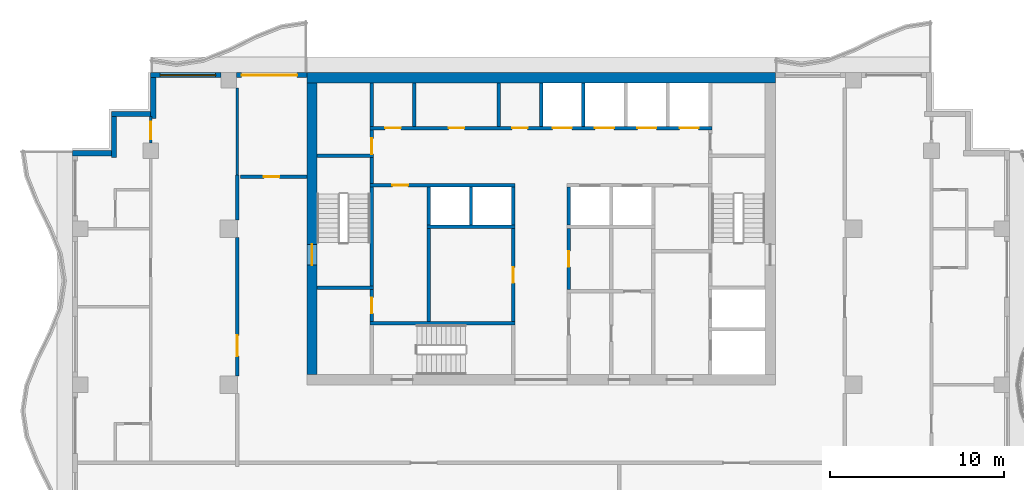
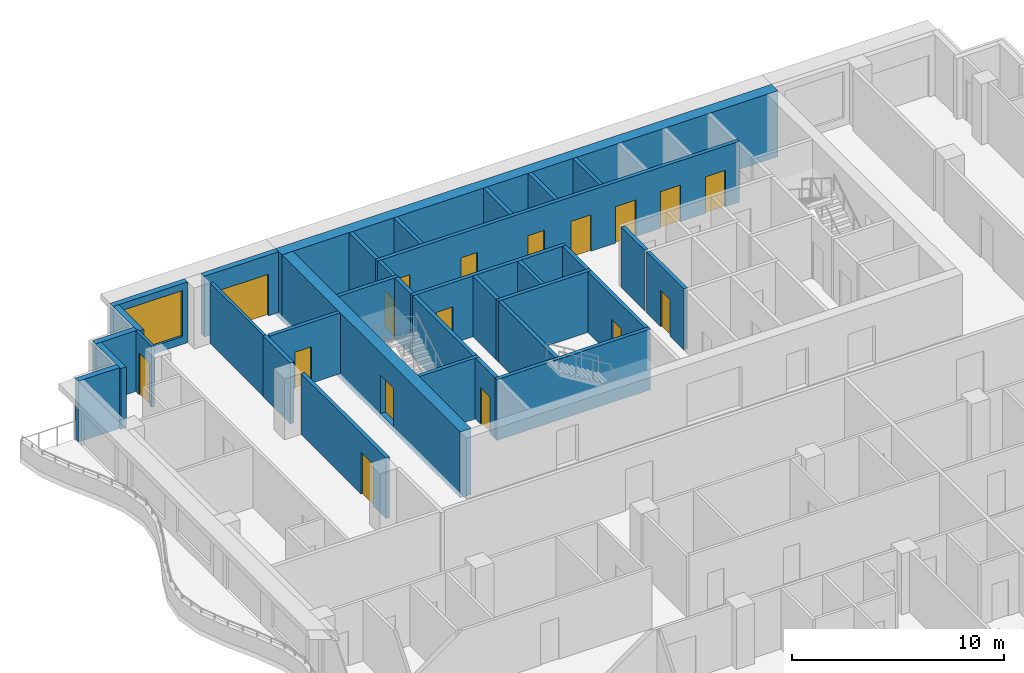
# One storey, part 5 of 11: 35 walls, 17 doors, 1 window, 18 openings.
"""IFC4 building model written with IfcOpenShell, lengths in metres."""

import ifcopenshell
import ifcopenshell.guid

model = None  # the IFC model being written
_history = None  # IfcOwnerHistory: only IFC2X3 demands one
_inside = {}  # id of a spatial element -> (the spatial element, [elements in it])
_under = {}  # id of a project, library or spatial element -> (it, [spatial elements below it])
_declared = {}  # id of a project -> (the project, [libraries it declares])
_typed = {}  # id of a type object -> (the type object, [elements of that type])
_made_of = {}  # id of a material, layer set ... -> (it, [elements and type objects made of it])


def new_model(schema):
    """Start an empty IFC model of exactly this schema.

    Asked for "IFC4X3", IfcOpenShell would pick the latest addendum, in which some entities
    have other attributes; the version numbers below select the first issue.
    IFC2X3 requires an IfcOwnerHistory on every rooted entity: one is made here for all.
    """
    global model, _history
    if schema == "IFC4X3":
        model = ifcopenshell.file(schema_version=(4, 3, 0, 0))
    else:
        model = ifcopenshell.file(schema=schema)
    _inside.clear()
    _under.clear()
    _declared.clear()
    _typed.clear()
    _made_of.clear()
    _history = None
    if model.schema == "IFC2X3":
        org = make("IfcOrganization", Name="unknown")
        user = make(
            "IfcPersonAndOrganization",
            ThePerson=make("IfcPerson", FamilyName="unknown"),
            TheOrganization=org,
        )
        app = make(
            "IfcApplication",
            ApplicationDeveloper=org,
            Version="unknown",
            ApplicationFullName="unknown",
            ApplicationIdentifier="unknown",
        )
        _history = make(
            "IfcOwnerHistory",
            OwningUser=user,
            OwningApplication=app,
            ChangeAction="ADDED",
            CreationDate=0,
        )
    return model


def make(cls, **values):
    """One entity of the class cls with the attributes given. An attribute that is None is left unset."""
    return model.create_entity(
        cls, **{name: value for name, value in values.items() if value is not None}
    )


def rooted(cls, **values):
    """An entity with a GlobalId (a new one), such as an element, a storey or a relation."""
    return make(cls, GlobalId=ifcopenshell.guid.new(), OwnerHistory=_history, **values)


def si_unit(unit_type, name, prefix=None):
    """IfcSIUnit, for example si_unit("LENGTHUNIT", "METRE", prefix="MILLI")."""
    return make("IfcSIUnit", UnitType=unit_type, Prefix=prefix, Name=name)


def assignment(units):
    """IfcUnitAssignment: the units of a project."""
    return None if units is None else make("IfcUnitAssignment", Units=units)


def point(xyz):
    """IfcCartesianPoint."""
    return None if xyz is None else make("IfcCartesianPoint", Coordinates=xyz)


def direction(xyz):
    """IfcDirection."""
    return None if xyz is None else make("IfcDirection", DirectionRatios=xyz)


def frame(location, z_axis=None, x_axis=None):
    """IfcAxis2Placement3D, a coordinate frame: its origin and axes. An axis left out is left unset."""
    return make(
        "IfcAxis2Placement3D",
        Location=point(location),
        Axis=direction(z_axis),
        RefDirection=direction(x_axis),
    )


def frame_2d(location, x_axis=None):
    """IfcAxis2Placement2D, a coordinate frame in the plane: its origin and x axis."""
    return make(
        "IfcAxis2Placement2D", Location=point(location), RefDirection=direction(x_axis)
    )


def origin():
    """The frame at (0, 0, 0) with its axes left unset."""
    return frame((0.0, 0.0, 0.0))


def place(relative_to, where):
    """IfcLocalPlacement: puts the frame where relative to a parent placement (None: the world)."""
    return make(
        "IfcLocalPlacement", PlacementRelTo=relative_to, RelativePlacement=where
    )


def context(
    kind, dimensions, precision=None, world=None, true_north=None, identifier=None
):
    """IfcGeometricRepresentationContext, for example the 3D "Model" context."""
    return make(
        "IfcGeometricRepresentationContext",
        ContextIdentifier=identifier,
        ContextType=kind,
        CoordinateSpaceDimension=dimensions,
        Precision=precision,
        WorldCoordinateSystem=world,
        TrueNorth=true_north,
    )


def subcontext(parent, identifier, kind, view, scale=None):
    """IfcGeometricRepresentationSubContext, for example "Body" below "Model"."""
    return make(
        "IfcGeometricRepresentationSubContext",
        ContextIdentifier=identifier,
        ContextType=kind,
        ParentContext=parent,
        TargetScale=scale,
        TargetView=view,
    )


def project(units=None, contexts=None):
    """IfcProject with its units and contexts."""
    return rooted(
        "IfcProject",
        Name="project",
        RepresentationContexts=contexts,
        UnitsInContext=assignment(units),
    )


def spatial(cls, under=None, at=None, **own):
    """A site, building, storey or space (cls), placed at a placement, below another one or the project."""
    s = rooted(cls, ObjectPlacement=at, **own)
    if under is not None:
        _under.setdefault(under.id(), (under, []))[1].append(s)
    return s


def profile(cls, at=None, kind="AREA", **sizes):
    """A parametric profile (cls). Its sizes go by their IFC names, for example OverallWidth=200.0."""
    return make(cls, ProfileType=kind, Position=at, **sizes)


def rectangle(**sizes):
    """IfcRectangleProfileDef."""
    return profile("IfcRectangleProfileDef", **sizes)


def extrude(swept, where, along, depth):
    """IfcExtrudedAreaSolid: the profile swept, set in the frame where, extruded along a direction by depth."""
    return make(
        "IfcExtrudedAreaSolid",
        SweptArea=swept,
        Position=where,
        ExtrudedDirection=direction(along),
        Depth=depth,
    )


def shape(context_of_items, identifier, shape_type, items):
    """IfcShapeRepresentation: the items that make up one representation, for example the "Body"."""
    return make(
        "IfcShapeRepresentation",
        ContextOfItems=context_of_items,
        RepresentationIdentifier=identifier,
        RepresentationType=shape_type,
        Items=items,
    )


def material(Name=None, Category=None):
    """IfcMaterial."""
    return make("IfcMaterial", Name=Name, Category=Category)


def layer(
    of_material, thickness, ventilated=None, Name=None, Category=None, Priority=None
):
    """IfcMaterialLayer: one layer of a wall or slab, of a material (None: an air gap)."""
    return make(
        "IfcMaterialLayer",
        Material=of_material,
        LayerThickness=thickness,
        IsVentilated=ventilated,
        Name=Name,
        Category=Category,
        Priority=Priority,
    )


def layer_set(layers, Name=None):
    """IfcMaterialLayerSet."""
    return make("IfcMaterialLayerSet", MaterialLayers=layers, LayerSetName=Name)


def made_of(thing, what):
    """Note that an element or type object is made of a material, layer set ...; save() writes the relation."""
    if what is not None:
        _made_of.setdefault(what.id(), (what, []))[1].append(thing)
    return thing


def type_object(cls, material=None, **own):
    """A type object (cls), such as IfcWallType, which elements share."""
    return made_of(rooted(cls, **own), material)


def element(
    cls,
    number,
    at=None,
    inside=None,
    cuts=None,
    type_object=None,
    material=None,
    context=None,
    identifier="Body",
    shape_type=None,
    held_by="IfcProductDefinitionShape",
    body=None,
    shapes=None,
    **own,
):
    """One element of the class cls, such as IfcWall. Its Tag is "e" and its number.

    at: its placement. inside: the storey or other place that contains it. cuts: it is an
    opening in that element (IfcRelVoidsElement). A single representation is given by context,
    identifier, shape_type and body (its items); several are given by shapes. held_by: the class
    of the entity that holds the representations. save() writes the other relations.
    """
    e = rooted(cls, Tag="e%d" % number, ObjectPlacement=at, **own)
    if body is not None:
        shapes = [shape(context, identifier, shape_type, body)]
    if shapes is not None:
        e.Representation = make(held_by, Representations=shapes)
    if inside is not None:
        _inside.setdefault(inside.id(), (inside, []))[1].append(e)
    if cuts is not None:
        rooted(
            "IfcRelVoidsElement", RelatingBuildingElement=cuts, RelatedOpeningElement=e
        )
    if type_object is not None:
        _typed.setdefault(type_object.id(), (type_object, []))[1].append(e)
    return made_of(e, material)


def fill(opening, filler):
    """IfcRelFillsElement: the door or window that sits in an opening."""
    return rooted(
        "IfcRelFillsElement",
        RelatingOpeningElement=opening,
        RelatedBuildingElement=filler,
    )


def aggregate(whole, parts):
    """IfcRelAggregates: a whole, such as a stair, and the parts it consists of."""
    return rooted("IfcRelAggregates", RelatingObject=whole, RelatedObjects=parts)


def save(model, path):
    """Write the relations noted so far, then the file.

    IfcRelAggregates (storeys below a building ...), IfcRelContainedInSpatialStructure (elements
    in a storey), IfcRelDefinesByType, IfcRelAssociatesMaterial and IfcRelDeclares: one each for
    every whole, place, type object, material and project.
    """
    for whole, parts in _under.values():
        aggregate(whole, parts)
    for where, things in _inside.values():
        rooted(
            "IfcRelContainedInSpatialStructure",
            RelatedElements=things,
            RelatingStructure=where,
        )
    for kind, things in _typed.values():
        rooted("IfcRelDefinesByType", RelatedObjects=things, RelatingType=kind)
    for what, things in _made_of.values():
        rooted("IfcRelAssociatesMaterial", RelatedObjects=things, RelatingMaterial=what)
    for by, libraries in _declared.values():
        rooted("IfcRelDeclares", RelatingContext=by, RelatedDefinitions=libraries)
    model.write(path)


model = new_model("IFC4")

# Units and contexts
model_context = context("Model", 3, precision=1e-05, world=origin(), true_north=direction((0.0, 1.0)))
body_context = subcontext(model_context, "Body", "Model", "MODEL_VIEW")
ifc_project = project(units=[si_unit("LENGTHUNIT", "METRE"), si_unit("AREAUNIT", "SQUARE_METRE"), si_unit("VOLUMEUNIT", "CUBIC_METRE"), si_unit("PLANEANGLEUNIT", "RADIAN"), si_unit("MASSUNIT", "GRAM", prefix="KILO")], contexts=[model_context])

# Site, building, storey
site_placement = place(None, origin())
site = spatial("IfcSite", under=ifc_project, at=site_placement, CompositionType="ELEMENT")
building_placement = place(site_placement, origin())
building = spatial("IfcBuilding", under=site, at=building_placement, Name="Orbiselva Terraces", CompositionType="ELEMENT")
storey_placement = place(building_placement, frame((0.0, 0.0, 250.2)))
storey = spatial("IfcBuildingStorey", under=building, at=storey_placement, Name="L63", CompositionType="ELEMENT", Elevation=250.2)

# Wall, opening, door
ifc_material_1 = material(Name="Concrete C80/95", Category="concrete")
ifc_layer_1 = layer(ifc_material_1, 0.6)
ifc_layer_set_1 = layer_set([ifc_layer_1], Name="Concrete C80/95")
wall_type_1 = type_object("IfcWallType", Name="CORE WALL 600", PredefinedType="SHEAR", material=ifc_layer_set_1)
wall_1_placement = place(storey_placement, frame((-13.2, 21.9, -0.3), z_axis=(0.0, 0.0, 1.0), x_axis=(0.0, -1.0, 0.0)))
wall_1 = element("IfcWall", 1, at=wall_1_placement, inside=storey, type_object=wall_type_1, Name="Core wall L63 west", PredefinedType="SHEAR", context=body_context, shape_type="SweptSolid", body=[
    extrude(rectangle(XDim=16.8, YDim=0.6, at=frame_2d((8.4, 0.0))), origin(), (0.0, 0.0, 1.0), 3.8),
])
opening_1_placement = place(wall_1_placement, frame((9.3, 0.0, 0.3)))
opening_1 = element("IfcOpeningElement", 2, at=opening_1_placement, cuts=wall_1, Name="Opening DS1200", PredefinedType="OPENING", context=body_context, shape_type="SweptSolid", body=[
    extrude(rectangle(XDim=1.2, YDim=2.2, at=frame_2d((0.6, 1.1))), frame((0.0, 0.31, 0.0), z_axis=(0.0, -1.0, 0.0), x_axis=(1.0, 0.0, 0.0)), (0.0, 0.0, 1.0), 0.62),
])
ifc_material_2 = material(Name="Steel fire door", Category="steel")
door_type_1 = type_object("IfcDoorType", Name="STAIR DOOR 1200", OperationType="NOTDEFINED", PredefinedType="DOOR", material=ifc_material_2)
door_1_placement = place(opening_1_placement, frame((1.2, 0.0, 0.0), z_axis=(0.0, 0.0, 1.0), x_axis=(-1.0, 0.0, 0.0)))
door_1 = element("IfcDoor", 3, at=door_1_placement, inside=storey, type_object=door_type_1, Name="L63 EXIT STAIR S1 door", OperationType="SINGLE_SWING_RIGHT", OverallHeight=2.2, OverallWidth=1.2, PredefinedType="DOOR", context=body_context, shape_type="SweptSolid", body=[
    extrude(rectangle(XDim=1.2, YDim=2.2, at=frame_2d((0.6, 1.1))), frame((0.0, 0.025, 0.0), z_axis=(0.0, -1.0, 0.0), x_axis=(1.0, 0.0, 0.0)), (0.0, 0.0, 1.0), 0.05),
])
fill(opening_1, door_1)

# Wall
ifc_layer_2 = layer(ifc_material_1, 0.6)
ifc_layer_set_2 = layer_set([ifc_layer_2], Name="Concrete C80/95")
wall_type_2 = type_object("IfcWallType", Name="CORE WALL 600 EXTERNAL", PredefinedType="SHEAR", material=ifc_layer_set_2)
wall_2_placement = place(storey_placement, frame((13.5, 22.2, -0.3), z_axis=(0.0, 0.0, 1.0), x_axis=(-1.0, 0.0, 0.0)))
element("IfcWall", 4, at=wall_2_placement, inside=storey, type_object=wall_type_2, Name="Core wall L63 north", PredefinedType="SHEAR", context=body_context, shape_type="SweptSolid", body=[
    extrude(rectangle(XDim=27.0, YDim=0.6, at=frame_2d((13.5, 0.0))), origin(), (0.0, 0.0, 1.0), 3.8),
])

# Wall, opening, door
ifc_material_3 = material(Name="Masonry blockwork", Category="masonry")
ifc_layer_3 = layer(ifc_material_3, 0.2)
ifc_layer_set_3 = layer_set([ifc_layer_3], Name="Masonry blockwork")
wall_type_3 = type_object("IfcWallType", Name="CORE-WALL-PARTITION-200", PredefinedType="PARTITIONING", material=ifc_layer_set_3)
wall_3_placement = place(storey_placement, frame((-9.75, 8.15, 0.0), z_axis=(0.0, 0.0, 1.0), x_axis=(0.0, 1.0, 0.0)))
wall_3 = element("IfcWall", 5, at=wall_3_placement, inside=storey, type_object=wall_type_3, Name="L63 core wall 05", PredefinedType="PARTITIONING", context=body_context, shape_type="SweptSolid", body=[
    extrude(rectangle(XDim=1.85, YDim=0.2, at=frame_2d((0.925, 0.0))), origin(), (0.0, 0.0, 1.0), 3.5),
])
opening_2_placement = place(wall_3_placement, frame((0.475, 0.0, 0.0)))
opening_2 = element("IfcOpeningElement", 6, at=opening_2_placement, cuts=wall_3, Name="Opening DR900", PredefinedType="OPENING", context=body_context, shape_type="SweptSolid", body=[
    extrude(rectangle(XDim=0.9, YDim=2.1, at=frame_2d((0.45, 1.05))), frame((0.0, 0.11, 0.0), z_axis=(0.0, -1.0, 0.0), x_axis=(1.0, 0.0, 0.0)), (0.0, 0.0, 1.0), 0.22),
])
door_type_2 = type_object("IfcDoorType", Name="ROOM DOOR 900", OperationType="NOTDEFINED", PredefinedType="DOOR", material=ifc_material_2)
door_2_placement = place(opening_2_placement, origin())
door_2 = element("IfcDoor", 7, at=door_2_placement, inside=storey, type_object=door_type_2, Name="L63 STAFF WC door", OperationType="SINGLE_SWING_RIGHT", OverallHeight=2.1, OverallWidth=0.9, PredefinedType="DOOR", context=body_context, shape_type="SweptSolid", body=[
    extrude(rectangle(XDim=0.9, YDim=2.1, at=frame_2d((0.45, 1.05))), frame((0.0, 0.025, 0.0), z_axis=(0.0, -1.0, 0.0), x_axis=(1.0, 0.0, 0.0)), (0.0, 0.0, 1.0), 0.05),
])
fill(opening_2, door_2)

wall_4_placement = place(storey_placement, frame((-9.75, 17.8, 0.0), z_axis=(0.0, 0.0, 1.0), x_axis=(0.0, 1.0, 0.0)))
wall_4 = element("IfcWall", 8, at=wall_4_placement, inside=storey, type_object=wall_type_3, Name="L63 core wall 09", PredefinedType="PARTITIONING", context=body_context, shape_type="SweptSolid", body=[
    extrude(rectangle(XDim=1.4, YDim=0.2, at=frame_2d((0.7, 0.0))), origin(), (0.0, 0.0, 1.0), 3.5),
])
opening_3_placement = place(wall_4_placement, origin())
opening_3 = element("IfcOpeningElement", 9, at=opening_3_placement, cuts=wall_4, Name="Opening DR900", PredefinedType="OPENING", context=body_context, shape_type="SweptSolid", body=[
    extrude(rectangle(XDim=0.9, YDim=2.1, at=frame_2d((0.45, 1.05))), frame((0.0, 0.11, 0.0), z_axis=(0.0, -1.0, 0.0), x_axis=(1.0, 0.0, 0.0)), (0.0, 0.0, 1.0), 0.22),
])
door_3_placement = place(opening_3_placement, origin())
door_3 = element("IfcDoor", 10, at=door_3_placement, inside=storey, type_object=door_type_2, Name="L63 ELECTRICAL RISER ROOM door", OperationType="SINGLE_SWING_LEFT", OverallHeight=2.1, OverallWidth=0.9, PredefinedType="DOOR", context=body_context, shape_type="SweptSolid", body=[
    extrude(rectangle(XDim=0.9, YDim=2.1, at=frame_2d((0.45, 1.05))), frame((0.0, 0.025, 0.0), z_axis=(0.0, -1.0, 0.0), x_axis=(1.0, 0.0, 0.0)), (0.0, 0.0, 1.0), 0.05),
])
fill(opening_3, door_3)

# Walls
for number, where, z_axis, x_axis, name in (
    (11, (-9.75, 19.4, 0.0), (0.0, 0.0, 1.0), (0.0, 1.0, 0.0), "L63 core wall 11"),
    (12, (-7.3125, 19.4, 0.0), (0.0, 0.0, 1.0), (0.0, 1.0, 0.0), "L63 core wall 12"),
):
    element("IfcWall", number, at=place(storey_placement, frame(where, z_axis=z_axis, x_axis=x_axis)), inside=storey, type_object=wall_type_3, Name=name, PredefinedType="PARTITIONING", context=body_context, shape_type="SweptSolid", body=[
        extrude(rectangle(XDim=2.5, YDim=0.2, at=frame_2d((1.25, 0.0))), origin(), (0.0, 0.0, 1.0), 3.5),
    ])
wall_5_placement = place(storey_placement, frame((-6.475, 8.15, 0.0), z_axis=(0.0, 0.0, 1.0), x_axis=(0.0, 1.0, 0.0)))
element("IfcWall", 13, at=wall_5_placement, inside=storey, type_object=wall_type_3, Name="L63 core wall 13", PredefinedType="PARTITIONING", context=body_context, shape_type="SweptSolid", body=[
    extrude(rectangle(XDim=5.35, YDim=0.2, at=frame_2d((2.675, 0.0))), origin(), (0.0, 0.0, 1.0), 3.5),
])
wall_6_placement = place(storey_placement, frame((-2.4375, 19.4, 0.0), z_axis=(0.0, 0.0, 1.0), x_axis=(0.0, 1.0, 0.0)))
element("IfcWall", 14, at=wall_6_placement, inside=storey, type_object=wall_type_3, Name="L63 core wall 17", PredefinedType="PARTITIONING", context=body_context, shape_type="SweptSolid", body=[
    extrude(rectangle(XDim=2.5, YDim=0.2, at=frame_2d((1.25, 0.0))), origin(), (0.0, 0.0, 1.0), 3.5),
])
ifc_material_4 = material(Name="Concrete C40/50", Category="concrete")
ifc_layer_4 = layer(ifc_material_4, 0.2)
ifc_layer_set_4 = layer_set([ifc_layer_4], Name="Concrete C40/50")
wall_type_4 = type_object("IfcWallType", Name="CORE-WALL-SHAFT-200", PredefinedType="PARTITIONING", material=ifc_layer_set_4)
for number, where, z_axis, x_axis, name in (
    (15, (-6.475, 13.7, 0.0), (0.0, 0.0, 1.0), (0.0, 1.0, 0.0), "L63 core wall 15"),
    (16, (-4.0375, 13.7, 0.0), (0.0, 0.0, 1.0), (0.0, 1.0, 0.0), "L63 core wall 16"),
    (17, (-1.6, 13.7, 0.0), (0.0, 0.0, 1.0), (0.0, 1.0, 0.0), "L63 core wall 20"),
):
    element("IfcWall", number, at=place(storey_placement, frame(where, z_axis=z_axis, x_axis=x_axis)), inside=storey, type_object=wall_type_4, Name=name, PredefinedType="PARTITIONING", context=body_context, shape_type="SweptSolid", body=[
        extrude(rectangle(XDim=2.2, YDim=0.2, at=frame_2d((1.1, 0.0))), origin(), (0.0, 0.0, 1.0), 3.5),
    ])
wall_7_placement = place(storey_placement, frame((0.0, 19.4, 0.0), z_axis=(0.0, 0.0, 1.0), x_axis=(0.0, 1.0, 0.0)))
element("IfcWall", 18, at=wall_7_placement, inside=storey, type_object=wall_type_4, Name="L63 core wall 21", PredefinedType="PARTITIONING", context=body_context, shape_type="SweptSolid", body=[
    extrude(rectangle(XDim=2.5, YDim=0.2, at=frame_2d((1.25, 0.0))), origin(), (0.0, 0.0, 1.0), 3.5),
])
wall_8_placement = place(storey_placement, frame((1.6, 13.7, 0.0), z_axis=(0.0, 0.0, 1.0), x_axis=(0.0, 1.0, 0.0)))
element("IfcWall", 19, at=wall_8_placement, inside=storey, type_object=wall_type_4, Name="L63 core wall 26", PredefinedType="PARTITIONING", context=body_context, shape_type="SweptSolid", body=[
    extrude(rectangle(XDim=2.2, YDim=0.2, at=frame_2d((1.1, 0.0))), origin(), (0.0, 0.0, 1.0), 3.5),
])
wall_9_placement = place(storey_placement, frame((2.4375, 19.4, 0.0), z_axis=(0.0, 0.0, 1.0), x_axis=(0.0, 1.0, 0.0)))
element("IfcWall", 20, at=wall_9_placement, inside=storey, type_object=wall_type_4, Name="L63 core wall 28", PredefinedType="PARTITIONING", context=body_context, shape_type="SweptSolid", body=[
    extrude(rectangle(XDim=2.5, YDim=0.2, at=frame_2d((1.25, 0.0))), origin(), (0.0, 0.0, 1.0), 3.5),
])
ifc_material_5 = material(Name="Concrete C60/75", Category="concrete")
ifc_layer_5 = layer(ifc_material_5, 0.2)
ifc_layer_set_5 = layer_set([ifc_layer_5], Name="Concrete C60/75")
wall_type_5 = type_object("IfcWallType", Name="CORE-WALL-SHEAR-200", PredefinedType="SHEAR", material=ifc_layer_set_5)
for number, where, z_axis, x_axis, name in (
    (21, (-12.9, 10.1, 0.0), (0.0, 0.0, 1.0), (1.0, 0.0, 0.0), "L63 core wall 01"),
    (22, (-12.9, 17.7, 0.0), (0.0, 0.0, 1.0), (1.0, 0.0, 0.0), "L63 core wall 02"),
):
    element("IfcWall", number, at=place(storey_placement, frame(where, z_axis=z_axis, x_axis=x_axis)), inside=storey, type_object=wall_type_5, Name=name, PredefinedType="SHEAR", context=body_context, shape_type="SweptSolid", body=[
        extrude(rectangle(XDim=3.25, YDim=0.2, at=frame_2d((1.625, 0.0))), origin(), (0.0, 0.0, 1.0), 3.5),
    ])
wall_10_placement = place(storey_placement, frame((-9.85, 8.05, 0.0), z_axis=(0.0, 0.0, 1.0), x_axis=(1.0, 0.0, 0.0)))
element("IfcWall", 23, at=wall_10_placement, inside=storey, type_object=wall_type_5, Name="L63 core wall 04", PredefinedType="SHEAR", context=body_context, shape_type="SweptSolid", body=[
    extrude(rectangle(XDim=8.35, YDim=0.2, at=frame_2d((4.175, 0.0))), origin(), (0.0, 0.0, 1.0), 3.5),
])
wall_11_placement = place(storey_placement, frame((-9.75, 10.2, 0.0), z_axis=(0.0, 0.0, 1.0), x_axis=(0.0, 1.0, 0.0)))
element("IfcWall", 24, at=wall_11_placement, inside=storey, type_object=wall_type_5, Name="L63 core wall 06", PredefinedType="SHEAR", context=body_context, shape_type="SweptSolid", body=[
    extrude(rectangle(XDim=5.7, YDim=0.2, at=frame_2d((2.85, 0.0))), origin(), (0.0, 0.0, 1.0), 3.5),
])

# Wall, opening, door
wall_12_placement = place(storey_placement, frame((-1.5, 16.0, 0.0), z_axis=(0.0, 0.0, 1.0), x_axis=(-1.0, 0.0, 0.0)))
wall_12 = element("IfcWall", 25, at=wall_12_placement, inside=storey, type_object=wall_type_5, Name="L63 core wall 07", PredefinedType="SHEAR", context=body_context, shape_type="SweptSolid", body=[
    extrude(rectangle(XDim=8.35, YDim=0.2, at=frame_2d((4.175, 0.0))), origin(), (0.0, 0.0, 1.0), 3.5),
])
opening_4_placement = place(wall_12_placement, frame((6.1625, 0.0, 0.0)))
opening_4 = element("IfcOpeningElement", 26, at=opening_4_placement, cuts=wall_12, Name="Opening DR900", PredefinedType="OPENING", context=body_context, shape_type="SweptSolid", body=[
    extrude(rectangle(XDim=0.9, YDim=2.1, at=frame_2d((0.45, 1.05))), frame((0.0, 0.11, 0.0), z_axis=(0.0, -1.0, 0.0), x_axis=(1.0, 0.0, 0.0)), (0.0, 0.0, 1.0), 0.22),
])
door_4_placement = place(opening_4_placement, origin())
door_4 = element("IfcDoor", 27, at=door_4_placement, inside=storey, type_object=door_type_2, Name="L63 STAFF PANTRY door", OperationType="SINGLE_SWING_RIGHT", OverallHeight=2.1, OverallWidth=0.9, PredefinedType="DOOR", context=body_context, shape_type="SweptSolid", body=[
    extrude(rectangle(XDim=0.9, YDim=2.1, at=frame_2d((0.45, 1.05))), frame((0.0, 0.025, 0.0), z_axis=(0.0, -1.0, 0.0), x_axis=(1.0, 0.0, 0.0)), (0.0, 0.0, 1.0), 0.05),
])
fill(opening_4, door_4)

# Wall
wall_13_placement = place(storey_placement, frame((-9.75, 16.1, 0.0), z_axis=(0.0, 0.0, 1.0), x_axis=(0.0, 1.0, 0.0)))
element("IfcWall", 28, at=wall_13_placement, inside=storey, type_object=wall_type_5, Name="L63 core wall 08", PredefinedType="SHEAR", context=body_context, shape_type="SweptSolid", body=[
    extrude(rectangle(XDim=1.5, YDim=0.2, at=frame_2d((0.75, 0.0))), origin(), (0.0, 0.0, 1.0), 3.5),
])

# Wall, openings, doors
wall_14_placement = place(storey_placement, frame((-9.85, 19.3, 0.0), z_axis=(0.0, 0.0, 1.0), x_axis=(1.0, 0.0, 0.0)))
wall_14 = element("IfcWall", 29, at=wall_14_placement, inside=storey, type_object=wall_type_5, Name="L63 core wall 10", PredefinedType="SHEAR", context=body_context, shape_type="SweptSolid", body=[
    extrude(rectangle(XDim=19.7, YDim=0.2, at=frame_2d((9.85, 0.0))), origin(), (0.0, 0.0, 1.0), 3.5),
])
opening_5_placement = place(wall_14_placement, frame((10.51875, 0.0, 0.0)))
opening_5 = element("IfcOpeningElement", 30, at=opening_5_placement, cuts=wall_14, Name="Opening LD-HR1", PredefinedType="OPENING", context=body_context, shape_type="SweptSolid", body=[
    extrude(rectangle(XDim=1.1, YDim=2.1, at=frame_2d((0.55, 1.05))), frame((0.0, 0.11, 0.0), z_axis=(0.0, -1.0, 0.0), x_axis=(1.0, 0.0, 0.0)), (0.0, 0.0, 1.0), 0.22),
])
opening_6_placement = place(wall_14_placement, frame((12.95625, 0.0, 0.0)))
opening_6 = element("IfcOpeningElement", 31, at=opening_6_placement, cuts=wall_14, Name="Opening LD-HR2", PredefinedType="OPENING", context=body_context, shape_type="SweptSolid", body=[
    extrude(rectangle(XDim=1.1, YDim=2.1, at=frame_2d((0.55, 1.05))), frame((0.0, 0.11, 0.0), z_axis=(0.0, -1.0, 0.0), x_axis=(1.0, 0.0, 0.0)), (0.0, 0.0, 1.0), 0.22),
])
opening_7_placement = place(wall_14_placement, frame((15.39375, 0.0, 0.0)))
opening_7 = element("IfcOpeningElement", 32, at=opening_7_placement, cuts=wall_14, Name="Opening LD-HR3", PredefinedType="OPENING", context=body_context, shape_type="SweptSolid", body=[
    extrude(rectangle(XDim=1.1, YDim=2.1, at=frame_2d((0.55, 1.05))), frame((0.0, 0.11, 0.0), z_axis=(0.0, -1.0, 0.0), x_axis=(1.0, 0.0, 0.0)), (0.0, 0.0, 1.0), 0.22),
])
opening_8_placement = place(wall_14_placement, frame((17.83125, 0.0, 0.0)))
opening_8 = element("IfcOpeningElement", 33, at=opening_8_placement, cuts=wall_14, Name="Opening LD-HR4", PredefinedType="OPENING", context=body_context, shape_type="SweptSolid", body=[
    extrude(rectangle(XDim=1.1, YDim=2.1, at=frame_2d((0.55, 1.05))), frame((0.0, 0.11, 0.0), z_axis=(0.0, -1.0, 0.0), x_axis=(1.0, 0.0, 0.0)), (0.0, 0.0, 1.0), 0.22),
])
opening_9_placement = place(wall_14_placement, frame((0.8688, 0.0, 0.0)))
opening_9 = element("IfcOpeningElement", 34, at=opening_9_placement, cuts=wall_14, Name="Opening DR900", PredefinedType="OPENING", context=body_context, shape_type="SweptSolid", body=[
    extrude(rectangle(XDim=0.9, YDim=2.1, at=frame_2d((0.45, 1.05))), frame((0.0, 0.11, 0.0), z_axis=(0.0, -1.0, 0.0), x_axis=(1.0, 0.0, 0.0)), (0.0, 0.0, 1.0), 0.22),
])
opening_10_placement = place(wall_14_placement, frame((4.525, 0.0, 0.0)))
opening_10 = element("IfcOpeningElement", 35, at=opening_10_placement, cuts=wall_14, Name="Opening DR900", PredefinedType="OPENING", context=body_context, shape_type="SweptSolid", body=[
    extrude(rectangle(XDim=0.9, YDim=2.1, at=frame_2d((0.45, 1.05))), frame((0.0, 0.11, 0.0), z_axis=(0.0, -1.0, 0.0), x_axis=(1.0, 0.0, 0.0)), (0.0, 0.0, 1.0), 0.22),
])
opening_11_placement = place(wall_14_placement, frame((8.1812, 0.0, 0.0)))
opening_11 = element("IfcOpeningElement", 36, at=opening_11_placement, cuts=wall_14, Name="Opening DR900", PredefinedType="OPENING", context=body_context, shape_type="SweptSolid", body=[
    extrude(rectangle(XDim=0.9, YDim=2.1, at=frame_2d((0.45, 1.05))), frame((0.0, 0.11, 0.0), z_axis=(0.0, -1.0, 0.0), x_axis=(1.0, 0.0, 0.0)), (0.0, 0.0, 1.0), 0.22),
])
ifc_material_6 = material(Name="Stainless steel landing door", Category="steel")
door_type_3 = type_object("IfcDoorType", Name="LANDING DOOR 1100", OperationType="SLIDING_TO_LEFT", PredefinedType="DOOR", material=ifc_material_6)
door_5_placement = place(opening_5_placement, origin())
door_5 = element("IfcDoor", 37, at=door_5_placement, inside=storey, type_object=door_type_3, Name="L63 landing door HR1", OperationType="SLIDING_TO_RIGHT", OverallHeight=2.1, OverallWidth=1.1, PredefinedType="DOOR", context=body_context, shape_type="SweptSolid", body=[
    extrude(rectangle(XDim=1.1, YDim=2.1, at=frame_2d((0.55, 1.05))), frame((0.0, 0.025, 0.0), z_axis=(0.0, -1.0, 0.0), x_axis=(1.0, 0.0, 0.0)), (0.0, 0.0, 1.0), 0.05),
])
fill(opening_5, door_5)
door_6_placement = place(opening_6_placement, origin())
door_6 = element("IfcDoor", 38, at=door_6_placement, inside=storey, type_object=door_type_3, Name="L63 landing door HR2", OperationType="SLIDING_TO_RIGHT", OverallHeight=2.1, OverallWidth=1.1, PredefinedType="DOOR", context=body_context, shape_type="SweptSolid", body=[
    extrude(rectangle(XDim=1.1, YDim=2.1, at=frame_2d((0.55, 1.05))), frame((0.0, 0.025, 0.0), z_axis=(0.0, -1.0, 0.0), x_axis=(1.0, 0.0, 0.0)), (0.0, 0.0, 1.0), 0.05),
])
fill(opening_6, door_6)
door_7_placement = place(opening_7_placement, origin())
door_7 = element("IfcDoor", 39, at=door_7_placement, inside=storey, type_object=door_type_3, Name="L63 landing door HR3", OperationType="SLIDING_TO_RIGHT", OverallHeight=2.1, OverallWidth=1.1, PredefinedType="DOOR", context=body_context, shape_type="SweptSolid", body=[
    extrude(rectangle(XDim=1.1, YDim=2.1, at=frame_2d((0.55, 1.05))), frame((0.0, 0.025, 0.0), z_axis=(0.0, -1.0, 0.0), x_axis=(1.0, 0.0, 0.0)), (0.0, 0.0, 1.0), 0.05),
])
fill(opening_7, door_7)
door_8_placement = place(opening_8_placement, origin())
door_8 = element("IfcDoor", 40, at=door_8_placement, inside=storey, type_object=door_type_3, Name="L63 landing door HR4", OperationType="SLIDING_TO_RIGHT", OverallHeight=2.1, OverallWidth=1.1, PredefinedType="DOOR", context=body_context, shape_type="SweptSolid", body=[
    extrude(rectangle(XDim=1.1, YDim=2.1, at=frame_2d((0.55, 1.05))), frame((0.0, 0.025, 0.0), z_axis=(0.0, -1.0, 0.0), x_axis=(1.0, 0.0, 0.0)), (0.0, 0.0, 1.0), 0.05),
])
fill(opening_8, door_8)
door_9_placement = place(opening_9_placement, origin())
door_9 = element("IfcDoor", 41, at=door_9_placement, inside=storey, type_object=door_type_2, Name="L63 STORE door", OperationType="SINGLE_SWING_LEFT", OverallHeight=2.1, OverallWidth=0.9, PredefinedType="DOOR", context=body_context, shape_type="SweptSolid", body=[
    extrude(rectangle(XDim=0.9, YDim=2.1, at=frame_2d((0.45, 1.05))), frame((0.0, 0.025, 0.0), z_axis=(0.0, -1.0, 0.0), x_axis=(1.0, 0.0, 0.0)), (0.0, 0.0, 1.0), 0.05),
])
fill(opening_9, door_9)
door_10_placement = place(opening_10_placement, origin())
door_10 = element("IfcDoor", 42, at=door_10_placement, inside=storey, type_object=door_type_2, Name="L63 IT ROOM door", OperationType="SINGLE_SWING_LEFT", OverallHeight=2.1, OverallWidth=0.9, PredefinedType="DOOR", context=body_context, shape_type="SweptSolid", body=[
    extrude(rectangle(XDim=0.9, YDim=2.1, at=frame_2d((0.45, 1.05))), frame((0.0, 0.025, 0.0), z_axis=(0.0, -1.0, 0.0), x_axis=(1.0, 0.0, 0.0)), (0.0, 0.0, 1.0), 0.05),
])
fill(opening_10, door_10)
door_11_placement = place(opening_11_placement, origin())
door_11 = element("IfcDoor", 43, at=door_11_placement, inside=storey, type_object=door_type_2, Name="L63 CLEANERS STORE door", OperationType="SINGLE_SWING_LEFT", OverallHeight=2.1, OverallWidth=0.9, PredefinedType="DOOR", context=body_context, shape_type="SweptSolid", body=[
    extrude(rectangle(XDim=0.9, YDim=2.1, at=frame_2d((0.45, 1.05))), frame((0.0, 0.025, 0.0), z_axis=(0.0, -1.0, 0.0), x_axis=(1.0, 0.0, 0.0)), (0.0, 0.0, 1.0), 0.05),
])
fill(opening_11, door_11)

# Wall
wall_15_placement = place(storey_placement, frame((-6.575, 13.6, 0.0), z_axis=(0.0, 0.0, 1.0), x_axis=(1.0, 0.0, 0.0)))
element("IfcWall", 44, at=wall_15_placement, inside=storey, type_object=wall_type_5, Name="L63 core wall 14", PredefinedType="SHEAR", context=body_context, shape_type="SweptSolid", body=[
    extrude(rectangle(XDim=5.075, YDim=0.2, at=frame_2d((2.5375, 0.0))), origin(), (0.0, 0.0, 1.0), 3.5),
])

# Wall, opening, door
wall_16_placement = place(storey_placement, frame((-1.6, 8.15, 0.0), z_axis=(0.0, 0.0, 1.0), x_axis=(0.0, 1.0, 0.0)))
wall_16 = element("IfcWall", 45, at=wall_16_placement, inside=storey, type_object=wall_type_5, Name="L63 core wall 19", PredefinedType="SHEAR", context=body_context, shape_type="SweptSolid", body=[
    extrude(rectangle(XDim=5.35, YDim=0.2, at=frame_2d((2.675, 0.0))), origin(), (0.0, 0.0, 1.0), 3.5),
])
opening_12_placement = place(wall_16_placement, frame((2.225, 0.0, 0.0)))
opening_12 = element("IfcOpeningElement", 46, at=opening_12_placement, cuts=wall_16, Name="Opening DR900", PredefinedType="OPENING", context=body_context, shape_type="SweptSolid", body=[
    extrude(rectangle(XDim=0.9, YDim=2.1, at=frame_2d((0.45, 1.05))), frame((0.0, 0.11, 0.0), z_axis=(0.0, -1.0, 0.0), x_axis=(1.0, 0.0, 0.0)), (0.0, 0.0, 1.0), 0.22),
])
door_12_placement = place(opening_12_placement, origin())
door_12 = element("IfcDoor", 47, at=door_12_placement, inside=storey, type_object=door_type_2, Name="L63 HOUSEKEEPING STORE door", OperationType="SINGLE_SWING_RIGHT", OverallHeight=2.1, OverallWidth=0.9, PredefinedType="DOOR", context=body_context, shape_type="SweptSolid", body=[
    extrude(rectangle(XDim=0.9, YDim=2.1, at=frame_2d((0.45, 1.05))), frame((0.0, 0.025, 0.0), z_axis=(0.0, -1.0, 0.0), x_axis=(1.0, 0.0, 0.0)), (0.0, 0.0, 1.0), 0.05),
])
fill(opening_12, door_12)

wall_17_placement = place(storey_placement, frame((1.6, 13.5, 0.0), z_axis=(0.0, 0.0, 1.0), x_axis=(0.0, -1.0, 0.0)))
wall_17 = element("IfcWall", 48, at=wall_17_placement, inside=storey, type_object=wall_type_5, Name="L63 core wall 24", PredefinedType="SHEAR", context=body_context, shape_type="SweptSolid", body=[
    extrude(rectangle(XDim=3.5, YDim=0.2, at=frame_2d((1.75, 0.0))), origin(), (0.0, 0.0, 1.0), 3.5),
])
opening_13_placement = place(wall_17_placement, frame((1.3, 0.0, 0.0)))
opening_13 = element("IfcOpeningElement", 49, at=opening_13_placement, cuts=wall_17, Name="Opening DR900", PredefinedType="OPENING", context=body_context, shape_type="SweptSolid", body=[
    extrude(rectangle(XDim=0.9, YDim=2.1, at=frame_2d((0.45, 1.05))), frame((0.0, 0.11, 0.0), z_axis=(0.0, -1.0, 0.0), x_axis=(1.0, 0.0, 0.0)), (0.0, 0.0, 1.0), 0.22),
])
door_13_placement = place(opening_13_placement, origin())
door_13 = element("IfcDoor", 50, at=door_13_placement, inside=storey, type_object=door_type_2, Name="L63 COMMS ROOM door", OperationType="SINGLE_SWING_RIGHT", OverallHeight=2.1, OverallWidth=0.9, PredefinedType="DOOR", context=body_context, shape_type="SweptSolid", body=[
    extrude(rectangle(XDim=0.9, YDim=2.1, at=frame_2d((0.45, 1.05))), frame((0.0, 0.025, 0.0), z_axis=(0.0, -1.0, 0.0), x_axis=(1.0, 0.0, 0.0)), (0.0, 0.0, 1.0), 0.05),
])
fill(opening_13, door_13)

ifc_material_7 = material(Name="Terracotta cladding on masonry backing", Category="masonry")
ifc_layer_6 = layer(ifc_material_7, 0.3)
ifc_layer_set_6 = layer_set([ifc_layer_6], Name="Terracotta cladding on masonry backing")
wall_type_6 = type_object("IfcWallType", Name="ENV-WALL-TERRACOTTA-300", PredefinedType="SOLIDWALL", material=ifc_layer_set_6)
wall_18_placement = place(storey_placement, frame((-17.55, 22.35, 0.0), z_axis=(0.0, 0.0, 1.0), x_axis=(1.0, 0.0, 0.0)))
wall_18 = element("IfcWall", 51, at=wall_18_placement, inside=storey, type_object=wall_type_6, Name="Facade wall L63 NW", PredefinedType="SOLIDWALL", context=body_context, shape_type="SweptSolid", body=[
    extrude(rectangle(XDim=4.05, YDim=0.3, at=frame_2d((2.025, 0.0))), origin(), (0.0, 0.0, 1.0), 3.5),
])
opening_14_placement = place(wall_18_placement, frame((0.3, 0.0, 0.0)))
opening_14 = element("IfcOpeningElement", 52, at=opening_14_placement, cuts=wall_18, Name="Opening Z5-B-E09", PredefinedType="OPENING", context=body_context, shape_type="SweptSolid", body=[
    extrude(rectangle(XDim=3.2, YDim=2.4, at=frame_2d((1.6, 1.2))), frame((0.0, 0.16, 0.0), z_axis=(0.0, -1.0, 0.0), x_axis=(1.0, 0.0, 0.0)), (0.0, 0.0, 1.0), 0.32),
])
ifc_material_8 = material(Name="Clear low-e glazing in aluminium frame", Category="aluminium")
door_type_4 = type_object("IfcDoorType", Name="BALCONY DOOR 3200 X 2400", OperationType="DOUBLE_DOOR_SLIDING", PredefinedType="DOOR", material=ifc_material_8)
door_14_placement = place(opening_14_placement, origin())
door_14 = element("IfcDoor", 53, at=door_14_placement, inside=storey, type_object=door_type_4, Name="Z5-B-E09", OperationType="SINGLE_SWING_LEFT", OverallHeight=2.4, OverallWidth=3.2, PredefinedType="DOOR", context=body_context, shape_type="SweptSolid", body=[
    extrude(rectangle(XDim=3.2, YDim=2.4, at=frame_2d((1.6, 1.2))), frame((0.0, 0.025, 0.0), z_axis=(0.0, -1.0, 0.0), x_axis=(1.0, 0.0, 0.0)), (0.0, 0.0, 1.0), 0.05),
])
fill(opening_14, door_14)

# Wall, opening, window
wall_19_placement = place(storey_placement, frame((-22.5, 22.35, 0.0), z_axis=(0.0, 0.0, 1.0), x_axis=(1.0, 0.0, 0.0)))
wall_19 = element("IfcWall", 54, at=wall_19_placement, inside=storey, type_object=wall_type_6, Name="Facade wall L63 NW", PredefinedType="SOLIDWALL", context=body_context, shape_type="SweptSolid", body=[
    extrude(rectangle(XDim=4.05, YDim=0.3, at=frame_2d((2.025, 0.0))), origin(), (0.0, 0.0, 1.0), 3.5),
])
opening_15_placement = place(wall_19_placement, frame((0.55, 0.0, 0.45)))
opening_15 = element("IfcOpeningElement", 55, at=opening_15_placement, cuts=wall_19, Name="Opening WN17", PredefinedType="OPENING", context=body_context, shape_type="SweptSolid", body=[
    extrude(rectangle(XDim=3.2, YDim=2.65, at=frame_2d((1.6, 1.325))), frame((0.0, 0.16, 0.0), z_axis=(0.0, -1.0, 0.0), x_axis=(1.0, 0.0, 0.0)), (0.0, 0.0, 1.0), 0.32),
])
window_type = type_object("IfcWindowType", Name="WINDOW 3200 X 2650 S450", PartitioningType="TRIPLE_PANEL_VERTICAL", PredefinedType="WINDOW", material=ifc_material_8)
window_placement = place(opening_15_placement, origin())
window = element("IfcWindow", 56, at=window_placement, inside=storey, type_object=window_type, Name="Window L63 NW", OverallHeight=2.65, OverallWidth=3.2, PartitioningType="SINGLE_PANEL", PredefinedType="WINDOW", context=body_context, shape_type="SweptSolid", body=[
    extrude(rectangle(XDim=3.2, YDim=2.65, at=frame_2d((1.6, 1.325))), frame((0.0, 0.03, 0.0), z_axis=(0.0, -1.0, 0.0), x_axis=(1.0, 0.0, 0.0)), (0.0, 0.0, 1.0), 0.06),
])
fill(opening_15, window)

# Walls
wall_20_placement = place(storey_placement, frame((-22.35, 19.85, 0.0), z_axis=(0.0, 0.0, 1.0), x_axis=(0.0, 1.0, 0.0)))
element("IfcWall", 57, at=wall_20_placement, inside=storey, type_object=wall_type_6, Name="Facade wall L63 STEP", PredefinedType="SOLIDWALL", context=body_context, shape_type="SweptSolid", body=[
    extrude(rectangle(XDim=2.35, YDim=0.3, at=frame_2d((1.175, 0.0))), origin(), (0.0, 0.0, 1.0), 3.5),
])
wall_21_placement = place(storey_placement, frame((-24.75, 20.1, 0.0), z_axis=(0.0, 0.0, 1.0), x_axis=(1.0, 0.0, 0.0)))
element("IfcWall", 58, at=wall_21_placement, inside=storey, type_object=wall_type_6, Name="Facade wall L63 STEP", PredefinedType="SOLIDWALL", context=body_context, shape_type="SweptSolid", body=[
    extrude(rectangle(XDim=2.25, YDim=0.3, at=frame_2d((1.125, 0.0))), origin(), (0.0, 0.0, 1.0), 3.5),
])
wall_22_placement = place(storey_placement, frame((-24.6, 17.6, 0.0), z_axis=(0.0, 0.0, 1.0), x_axis=(0.0, 1.0, 0.0)))
element("IfcWall", 59, at=wall_22_placement, inside=storey, type_object=wall_type_6, Name="Facade wall L63 STEP", PredefinedType="SOLIDWALL", context=body_context, shape_type="SweptSolid", body=[
    extrude(rectangle(XDim=2.35, YDim=0.3, at=frame_2d((1.175, 0.0))), origin(), (0.0, 0.0, 1.0), 3.5),
])
wall_23_placement = place(storey_placement, frame((-27.0, 17.85, 0.0), z_axis=(0.0, 0.0, 1.0), x_axis=(1.0, 0.0, 0.0)))
element("IfcWall", 60, at=wall_23_placement, inside=storey, type_object=wall_type_6, Name="Facade wall L63 STEP", PredefinedType="SOLIDWALL", context=body_context, shape_type="SweptSolid", body=[
    extrude(rectangle(XDim=2.25, YDim=0.3, at=frame_2d((1.125, 0.0))), origin(), (0.0, 0.0, 1.0), 3.5),
])

# Wall, opening, door
ifc_material_9 = material(Name="Plasterboard on steel stud partition", Category="steel")
ifc_layer_7 = layer(ifc_material_9, 0.2)
ifc_layer_set_7 = layer_set([ifc_layer_7], Name="Plasterboard on steel stud partition")
wall_type_7 = type_object("IfcWallType", Name="UNIT-ENTRANCE-WALL-200", PredefinedType="PARTITIONING", material=ifc_layer_set_7)
wall_24_placement = place(storey_placement, frame((-17.325, 16.5, 0.0), z_axis=(0.0, 0.0, 1.0), x_axis=(1.0, 0.0, 0.0)))
wall_24 = element("IfcWall", 61, at=wall_24_placement, inside=storey, type_object=wall_type_7, Name="PARTITION L63-038", PredefinedType="PARTITIONING", context=body_context, shape_type="SweptSolid", body=[
    extrude(rectangle(XDim=3.825, YDim=0.2, at=frame_2d((1.9125, 0.0))), origin(), (0.0, 0.0, 1.0), 3.5),
])
opening_16_placement = place(wall_24_placement, frame((1.35, 0.0, 0.0)))
opening_16 = element("IfcOpeningElement", 62, at=opening_16_placement, cuts=wall_24, Name="Opening Z5-B-01", PredefinedType="OPENING", context=body_context, shape_type="SweptSolid", body=[
    extrude(rectangle(XDim=0.9, YDim=2.1, at=frame_2d((0.45, 1.05))), frame((0.0, 0.11, 0.0), z_axis=(0.0, -1.0, 0.0), x_axis=(1.0, 0.0, 0.0)), (0.0, 0.0, 1.0), 0.22),
])
ifc_material_10 = material(Name="Painted timber door leaf", Category="wood")
door_type_5 = type_object("IfcDoorType", Name="SERVICE DOOR 900", OperationType="NOTDEFINED", PredefinedType="DOOR", material=ifc_material_10)
door_15_placement = place(opening_16_placement, origin())
door_15 = element("IfcDoor", 63, at=door_15_placement, inside=storey, type_object=door_type_5, Name="Z5-B-01", OperationType="SINGLE_SWING_LEFT", OverallHeight=2.1, OverallWidth=0.9, PredefinedType="DOOR", context=body_context, shape_type="SweptSolid", body=[
    extrude(rectangle(XDim=0.9, YDim=2.1, at=frame_2d((0.45, 1.05))), frame((0.0, 0.025, 0.0), z_axis=(0.0, -1.0, 0.0), x_axis=(1.0, 0.0, 0.0)), (0.0, 0.0, 1.0), 0.05),
])
fill(opening_16, door_15)

wall_25_placement = place(storey_placement, frame((-17.5, 5.0, 0.0), z_axis=(0.0, 0.0, 1.0), x_axis=(0.0, 1.0, 0.0)))
wall_25 = element("IfcWall", 64, at=wall_25_placement, inside=storey, type_object=wall_type_7, Name="PARTITION L63-049", PredefinedType="PARTITIONING", context=body_context, shape_type="SweptSolid", body=[
    extrude(rectangle(XDim=8.0, YDim=0.2, at=frame_2d((4.0, 0.0))), origin(), (0.0, 0.0, 1.0), 3.5),
])
opening_17_placement = place(wall_25_placement, frame((1.15, 0.0, 0.0)))
opening_17 = element("IfcOpeningElement", 65, at=opening_17_placement, cuts=wall_25, Name="Opening Z5-B-02", PredefinedType="OPENING", context=body_context, shape_type="SweptSolid", body=[
    extrude(rectangle(XDim=1.2, YDim=2.4, at=frame_2d((0.6, 1.2))), frame((0.0, 0.11, 0.0), z_axis=(0.0, -1.0, 0.0), x_axis=(1.0, 0.0, 0.0)), (0.0, 0.0, 1.0), 0.22),
])
door_type_6 = type_object("IfcDoorType", Name="ENTRANCE DOOR 1200", OperationType="NOTDEFINED", PredefinedType="DOOR", material=ifc_material_10)
door_16_placement = place(opening_17_placement, origin())
door_16 = element("IfcDoor", 66, at=door_16_placement, inside=storey, type_object=door_type_6, Name="Z5-B-02", OperationType="SINGLE_SWING_LEFT", OverallHeight=2.4, OverallWidth=1.2, PredefinedType="DOOR", context=body_context, shape_type="SweptSolid", body=[
    extrude(rectangle(XDim=1.2, YDim=2.4, at=frame_2d((0.6, 1.2))), frame((0.0, 0.025, 0.0), z_axis=(0.0, -1.0, 0.0), x_axis=(1.0, 0.0, 0.0)), (0.0, 0.0, 1.0), 0.05),
])
fill(opening_17, door_16)

# Wall
wall_26_placement = place(storey_placement, frame((-17.5, 14.0, 0.0), z_axis=(0.0, 0.0, 1.0), x_axis=(0.0, 1.0, 0.0)))
element("IfcWall", 67, at=wall_26_placement, inside=storey, type_object=wall_type_7, Name="PARTITION L63-050", PredefinedType="PARTITIONING", context=body_context, shape_type="SweptSolid", body=[
    extrude(rectangle(XDim=2.6, YDim=0.2, at=frame_2d((1.3, 0.0))), origin(), (0.0, 0.0, 1.0), 3.5),
])

# Wall, opening, door
ifc_layer_8 = layer(ifc_material_9, 0.15)
ifc_layer_set_8 = layer_set([ifc_layer_8], Name="Plasterboard on steel stud partition")
wall_type_8 = type_object("IfcWallType", Name="UNIT-PARTITION-150", PredefinedType="PARTITIONING", material=ifc_layer_set_8)
wall_27_placement = place(storey_placement, frame((-22.5, 18.45, 0.0), z_axis=(0.0, 0.0, 1.0), x_axis=(0.0, 1.0, 0.0)))
wall_27 = element("IfcWall", 68, at=wall_27_placement, inside=storey, type_object=wall_type_8, Name="PARTITION L63-045", PredefinedType="PARTITIONING", context=body_context, shape_type="SweptSolid", body=[
    extrude(rectangle(XDim=1.5, YDim=0.15, at=frame_2d((0.75, 0.0))), origin(), (0.0, 0.0, 1.0), 3.5),
])
opening_18_placement = place(wall_27_placement, frame((0.2, 0.0, 0.0)))
opening_18 = element("IfcOpeningElement", 69, at=opening_18_placement, cuts=wall_27, Name="Opening Z5-B-06", PredefinedType="OPENING", context=body_context, shape_type="SweptSolid", body=[
    extrude(rectangle(XDim=1.0, YDim=2.4, at=frame_2d((0.5, 1.2))), frame((0.0, 0.085, 0.0), z_axis=(0.0, -1.0, 0.0), x_axis=(1.0, 0.0, 0.0)), (0.0, 0.0, 1.0), 0.17),
])
door_type_7 = type_object("IfcDoorType", Name="ROOM DOOR 1000", OperationType="NOTDEFINED", PredefinedType="DOOR", material=ifc_material_10)
door_17_placement = place(opening_18_placement, origin())
door_17 = element("IfcDoor", 70, at=door_17_placement, inside=storey, type_object=door_type_7, Name="Z5-B-06", OperationType="SINGLE_SWING_LEFT", OverallHeight=2.4, OverallWidth=1.0, PredefinedType="DOOR", context=body_context, shape_type="SweptSolid", body=[
    extrude(rectangle(XDim=1.0, YDim=2.4, at=frame_2d((0.5, 1.2))), frame((0.0, 0.025, 0.0), z_axis=(0.0, -1.0, 0.0), x_axis=(1.0, 0.0, 0.0)), (0.0, 0.0, 1.0), 0.05),
])
fill(opening_18, door_17)

# Wall
wall_28_placement = place(storey_placement, frame((-17.5, 16.4, 0.0), z_axis=(0.0, 0.0, 1.0), x_axis=(0.0, 1.0, 0.0)))
element("IfcWall", 71, at=wall_28_placement, inside=storey, type_object=wall_type_8, Name="PARTITION L63-051", PredefinedType="PARTITIONING", context=body_context, shape_type="SweptSolid", body=[
    extrude(rectangle(XDim=5.2, YDim=0.15, at=frame_2d((2.6, 0.0))), origin(), (0.0, 0.0, 1.0), 3.5),
])

save(model, "model.ifc")
